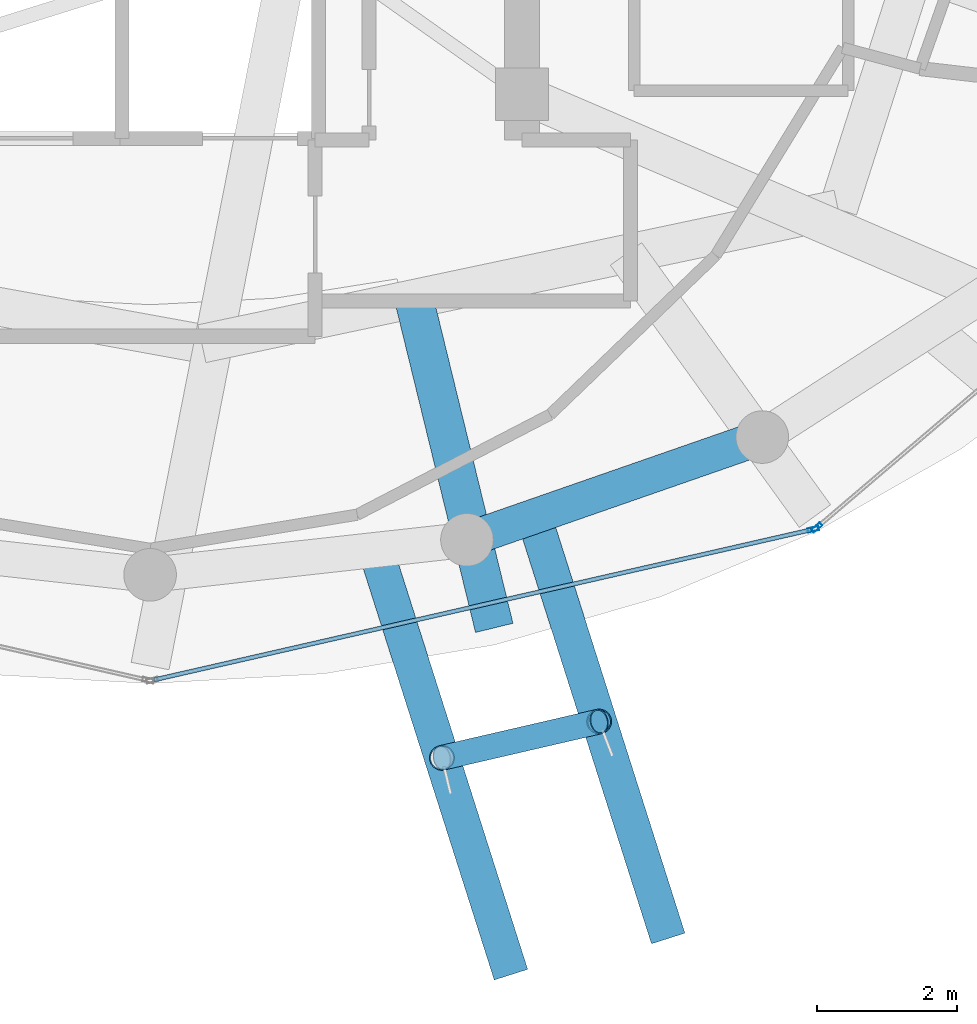
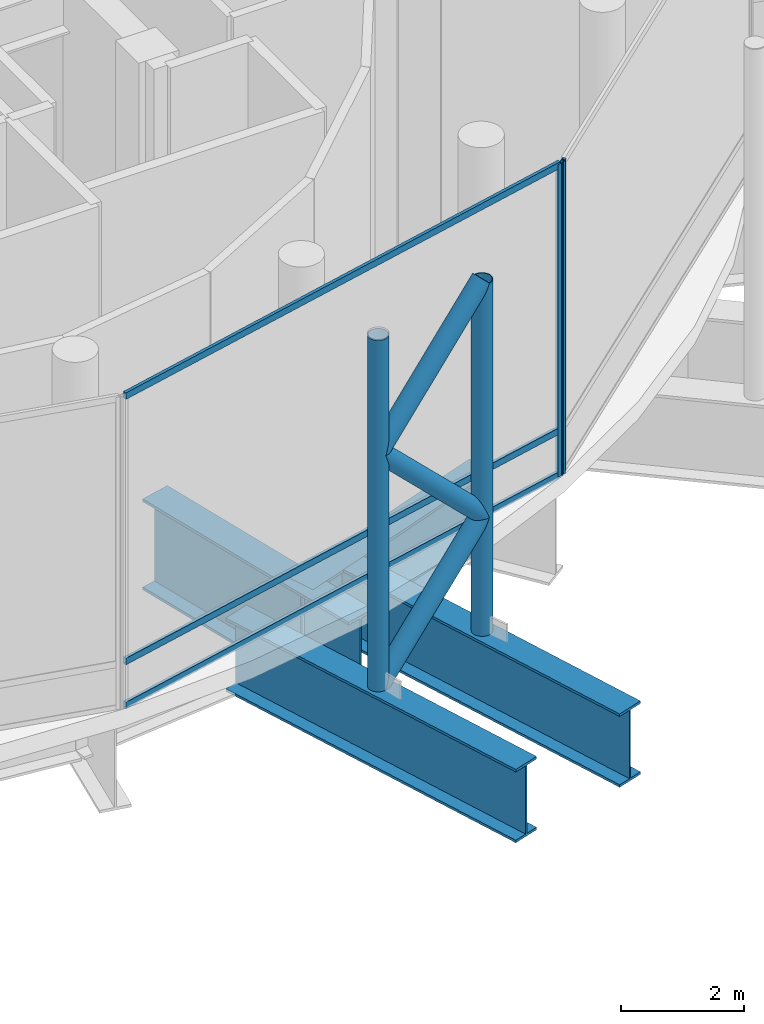
# One storey, part 7 of 26: 10 members, 4 beams, 2 elements without a shape of their own.
"""IFC4 building model written with IfcOpenShell, lengths in metres."""

from ifc_helpers import new_model, si_unit, direction, frame, origin, origin_2d, place, context, subcontext, project, spatial, hollow_rectangle, hollow_circle, i_section, extrude, material, layer, layer_set, material_profile, profile_set, type_object, element, aggregate, save


model = new_model("IFC4")

# Units and contexts
model_context = context("Model", 3, precision=1e-05, world=origin(), true_north=direction((0.0, 1.0)))
body_context = subcontext(model_context, "Body", "Model", "MODEL_VIEW")
ifc_project = project(units=[si_unit("LENGTHUNIT", "METRE"), si_unit("AREAUNIT", "SQUARE_METRE"), si_unit("VOLUMEUNIT", "CUBIC_METRE"), si_unit("PLANEANGLEUNIT", "RADIAN"), si_unit("MASSUNIT", "GRAM", prefix="KILO")], contexts=[model_context])

# Site, building, storey
site_placement = place(None, origin())
site = spatial("IfcSite", under=ifc_project, at=site_placement, CompositionType="ELEMENT")
building_placement = place(site_placement, origin())
building = spatial("IfcBuilding", under=site, at=building_placement, Name="Nuhasar Tower", CompositionType="ELEMENT")
storey_placement = place(building_placement, frame((0.0, 0.0, 306.800048828125)))
storey = spatial("IfcBuildingStorey", under=building, at=storey_placement, Name="L76", CompositionType="ELEMENT", Elevation=306.800048828125)

# Beams
ifc_material_1 = material(Name="Steel S460", Category="steel")
ifc_material_profile_1 = material_profile(ifc_material_1, i_section(OverallWidth=0.5, OverallDepth=1.449951171875, WebThickness=0.028076171875, FlangeThickness=0.050048828125, at=origin_2d()), Name="PG1450X500")
ifc_profile_set_1 = profile_set([ifc_material_profile_1], Name="Steel S460")
beam_type_1 = type_object("IfcBeamType", Name="BM-XFER-PG1450", PredefinedType="USERDEFINED", material=ifc_profile_set_1)
beam_1_placement = place(storey_placement, frame((43.51611328125, 12.64892578125, -1.074951171875), z_axis=(0.944488666475, 0.328543998425, 0.0), x_axis=(-0.328543998425, 0.944488666475, 0.0)))
element("IfcBeam", 1, at=beam_1_placement, inside=storey, type_object=beam_type_1, Name="L76 Perimeter Ring Spandrel 20", ObjectType="GIRDER", PredefinedType="USERDEFINED", context=body_context, shape_type="SweptSolid", body=[
    extrude(i_section(OverallWidth=0.5, OverallDepth=1.449951171875, WebThickness=0.028076171875, FlangeThickness=0.050048828125, at=origin_2d()), origin(), (0.0, 0.0, 1.0), 4.456298828125),
])
beam_2_placement = place(storey_placement, frame((42.215087890625, 12.5048828125, -1.074951171875), z_axis=(0.30344948656, -0.952847526683, 0.0), x_axis=(0.952847526683, 0.30344948656, 0.0)))
element("IfcBeam", 2, at=beam_2_placement, inside=storey, type_object=beam_type_1, Name="L76 Exoskeleton Step Transfer Girder 19", ObjectType="GIRDER", PredefinedType="USERDEFINED", context=body_context, shape_type="SweptSolid", body=[
    extrude(i_section(OverallWidth=0.5, OverallDepth=1.449951171875, WebThickness=0.028076171875, FlangeThickness=0.050048828125, at=origin_2d()), origin(), (0.0, 0.0, 1.0), 6.353515625),
])
beam_3_placement = place(storey_placement, frame((44.469970703125, 12.98095703125, -1.074951171875), z_axis=(0.303281895018, -0.95290088265, 0.0), x_axis=(0.95290088265, 0.303281895018, 0.0)))
element("IfcBeam", 3, at=beam_3_placement, inside=storey, type_object=beam_type_1, Name="L76 Exoskeleton Step Transfer Girder 20", ObjectType="GIRDER", PredefinedType="USERDEFINED", context=body_context, shape_type="SweptSolid", body=[
    extrude(i_section(OverallWidth=0.5, OverallDepth=1.449951171875, WebThickness=0.028076171875, FlangeThickness=0.050048828125, at=origin_2d()), origin(), (0.0, 0.0, 1.0), 6.311279296875),
])
ifc_material_profile_2 = material_profile(ifc_material_1, i_section(OverallWidth=0.550048828125, OverallDepth=1.800048828125, WebThickness=0.031982421875, FlangeThickness=0.054931640625, at=origin_2d()), Name="PG1800X550")
ifc_profile_set_2 = profile_set([ifc_material_profile_2], Name="Steel S460")
beam_type_2 = type_object("IfcBeamType", Name="BM-XFER-PG1800", PredefinedType="USERDEFINED", material=ifc_profile_set_2)
beam_4_placement = place(storey_placement, frame((42.760009765625, 16.0830078125, -1.25), z_axis=(0.237177368355, -0.971466363772, 0.0), x_axis=(0.971466363772, 0.237177368355, 0.0)))
element("IfcBeam", 4, at=beam_4_placement, inside=storey, type_object=beam_type_2, Name="L76 Inner Column Transfer Girder 20", ObjectType="GIRDER", PredefinedType="USERDEFINED", context=body_context, shape_type="SweptSolid", body=[
    extrude(i_section(OverallWidth=0.550048828125, OverallDepth=1.800048828125, WebThickness=0.031982421875, FlangeThickness=0.054931640625, at=origin_2d()), origin(), (0.0, 0.0, 1.0), 4.82763671875),
])

# Curtain wall, member
ifc_material_2 = material(Name="Aluminium 6063-T6", Category="aluminium")
ifc_layer = layer(ifc_material_2, 0.239990234375)
ifc_layer_set = layer_set([ifc_layer], Name="Aluminium 6063-T6")
curtain_wall_type = type_object("IfcCurtainWallType", Name="CW-SKY-LBY", PredefinedType="NOTDEFINED", material=ifc_layer_set)
curtain_wall_1_placement = place(storey_placement, origin())
curtain_wall_1 = element("IfcCurtainWall", 5, at=curtain_wall_1_placement, inside=storey, type_object=curtain_wall_type, Name="L76 Unitised Curtain Wall 10", PredefinedType="NOTDEFINED")
ifc_material_profile_3 = material_profile(ifc_material_2, hollow_rectangle(XDim=0.06005859375, YDim=0.159912109375, WallThickness=0.0048828125, at=origin_2d()), Name="CWM-6")
ifc_profile_set_3 = profile_set([ifc_material_profile_3], Name="Aluminium 6063-T6")
member_type_1 = type_object("IfcMemberType", Name="CW-MUL-S6", PredefinedType="MULLION", material=ifc_profile_set_3)
member_1_placement = place(storey_placement, frame((48.45068359375, 12.79833984375, 0.0), z_axis=(0.0, 0.0, 1.0), x_axis=(-0.222643296147, 0.974899975731, 0.0)))
member_1 = element("IfcMember", 6, at=member_1_placement, type_object=member_type_1, Name="CW-SL mullion 2", PredefinedType="MULLION", context=body_context, shape_type="SweptSolid", body=[
    extrude(hollow_rectangle(XDim=0.06005859375, YDim=0.159912109375, WallThickness=0.0048828125, at=origin_2d()), origin(), (0.0, 0.0, 1.0), 6.179931640625),
])

curtain_wall_2_placement = place(storey_placement, origin())
curtain_wall_2 = element("IfcCurtainWall", 7, at=curtain_wall_2_placement, inside=storey, type_object=curtain_wall_type, Name="L76 Unitised Curtain Wall 11", PredefinedType="NOTDEFINED")
member_2_placement = place(storey_placement, frame((48.5029296875, 12.824462890625, 0.0), z_axis=(0.0, 0.0, 1.0), x_axis=(-0.648666497118, 0.761072779382, 0.0)))
member_2 = element("IfcMember", 8, at=member_2_placement, type_object=member_type_1, Name="CW-SL mullion 1", PredefinedType="MULLION", context=body_context, shape_type="SweptSolid", body=[
    extrude(hollow_rectangle(XDim=0.06005859375, YDim=0.159912109375, WallThickness=0.0048828125, at=origin_2d()), origin(), (0.0, 0.0, 1.0), 6.179931640625),
])
aggregate(curtain_wall_2, [member_2])

# Member
ifc_material_profile_4 = material_profile(ifc_material_2, hollow_rectangle(XDim=0.06005859375, YDim=0.1298828125, WallThickness=0.00439453125, at=origin_2d()), Name="CWT-6")
ifc_profile_set_4 = profile_set([ifc_material_profile_4], Name="Aluminium 6063-T6")
member_type_2 = type_object("IfcMemberType", Name="CW-TRN-S6", PredefinedType="USERDEFINED", material=ifc_profile_set_4)
member_3_placement = place(storey_placement, frame((39.05859375, 10.6533203125, 0.030029296875), z_axis=(0.974895569485, 0.22266258913, 0.0), x_axis=(-0.22266258913, 0.974895569485, 0.0)))
member_3 = element("IfcMember", 9, at=member_3_placement, type_object=member_type_2, Name="CW-SL transom 1.1", ObjectType="TRANSOM", PredefinedType="USERDEFINED", context=body_context, shape_type="SweptSolid", body=[
    extrude(hollow_rectangle(XDim=0.06005859375, YDim=0.1298828125, WallThickness=0.00439453125, at=origin_2d()), origin(), (0.0, 0.0, 1.0), 9.60400390625),
])

member_4_placement = place(storey_placement, frame((39.05859375, 10.6533203125, 0.89990234375), z_axis=(0.974895569485, 0.22266258913, 0.0), x_axis=(-0.22266258913, 0.974895569485, 0.0)))
member_4 = element("IfcMember", 10, at=member_4_placement, type_object=member_type_2, Name="CW-SL transom 1.2", ObjectType="TRANSOM", PredefinedType="USERDEFINED", context=body_context, shape_type="SweptSolid", body=[
    extrude(hollow_rectangle(XDim=0.06005859375, YDim=0.1298828125, WallThickness=0.00439453125, at=origin_2d()), origin(), (0.0, 0.0, 1.0), 9.60400390625),
])

member_5_placement = place(storey_placement, frame((39.05859375, 10.6533203125, 6.14990234375), z_axis=(0.974895569485, 0.22266258913, 0.0), x_axis=(-0.22266258913, 0.974895569485, 0.0)))
member_5 = element("IfcMember", 11, at=member_5_placement, type_object=member_type_2, Name="CW-SL transom 1.3", ObjectType="TRANSOM", PredefinedType="USERDEFINED", context=body_context, shape_type="SweptSolid", body=[
    extrude(hollow_rectangle(XDim=0.06005859375, YDim=0.1298828125, WallThickness=0.00439453125, at=origin_2d()), origin(), (0.0, 0.0, 1.0), 9.60400390625),
])

aggregate(curtain_wall_1, [member_1, member_3, member_4, member_5])

# Members
ifc_material_profile_5 = material_profile(ifc_material_1, hollow_circle(Radius=0.177734375, WallThickness=0.015869140625, at=origin_2d()), Name="HSS355.6X15.9")
ifc_profile_set_5 = profile_set([ifc_material_profile_5], Name="Steel S460")
member_type_3 = type_object("IfcMemberType", Name="EXO-BRONZE-356", PredefinedType="BRACE", material=ifc_profile_set_5)
for number, where, z_axis, x_axis, name in (
    (12, (43.158935546875, 9.541015625, -0.35009765625), (0.0, 0.0, 1.0), (1.0, 0.0, 0.0), "L76 Exoskeleton Chord Column EC-10A"),
    (13, (45.39990234375, 10.05908203125, -0.35009765625), (0.0, 0.0, 1.0), (1.0, 0.0, 0.0), "L76 Exoskeleton Chord Column EC-10B"),
):
    element("IfcMember", number, at=place(storey_placement, frame(where, z_axis=z_axis, x_axis=x_axis)), inside=storey, type_object=member_type_3, Name=name, PredefinedType="BRACE", context=body_context, shape_type="SweptSolid", body=[
        extrude(hollow_circle(Radius=0.177734375, WallThickness=0.015869140625, at=origin_2d()), origin(), (0.0, 0.0, 1.0), 6.949951171875),
    ])
member_6_placement = place(storey_placement, frame((43.158935546875, 9.541015625, -0.35009765625), z_axis=(0.68638516561, 0.158678431357, 0.709715830352), x_axis=(-0.225239345014, 0.974303462715, 0.0)))
element("IfcMember", 14, at=member_6_placement, inside=storey, type_object=member_type_3, Name="L76 Bronze Diagrid Brace W1-10", PredefinedType="BRACE", context=body_context, shape_type="SweptSolid", body=[
    extrude(hollow_circle(Radius=0.177734375, WallThickness=0.015869140625, at=origin_2d()), origin(), (0.0, 0.0, 1.0), 3.264892578125),
])
member_7_placement = place(storey_placement, frame((45.39990234375, 10.05908203125, 1.967041015625), z_axis=(-0.686567325751, -0.158720543114, 0.709530194146), x_axis=(0.225239345014, -0.974303462715, 0.0)))
element("IfcMember", 15, at=member_7_placement, inside=storey, type_object=member_type_3, Name="L76 Bronze Diagrid Brace W2-10", PredefinedType="BRACE", context=body_context, shape_type="SweptSolid", body=[
    extrude(hollow_circle(Radius=0.177734375, WallThickness=0.015869140625, at=origin_2d()), origin(), (0.0, 0.0, 1.0), 3.263916015625),
])
member_8_placement = place(storey_placement, frame((43.158935546875, 9.541015625, 4.282958984375), z_axis=(0.686421593716, 0.158686852802, 0.709678714932), x_axis=(-0.225239345014, 0.974303462715, 0.0)))
element("IfcMember", 16, at=member_8_placement, inside=storey, type_object=member_type_3, Name="L76 Bronze Diagrid Brace W3-10", PredefinedType="BRACE", context=body_context, shape_type="SweptSolid", body=[
    extrude(hollow_circle(Radius=0.177734375, WallThickness=0.015869140625, at=origin_2d()), origin(), (0.0, 0.0, 1.0), 3.2646484375),
])

save(model, "model.ifc")
